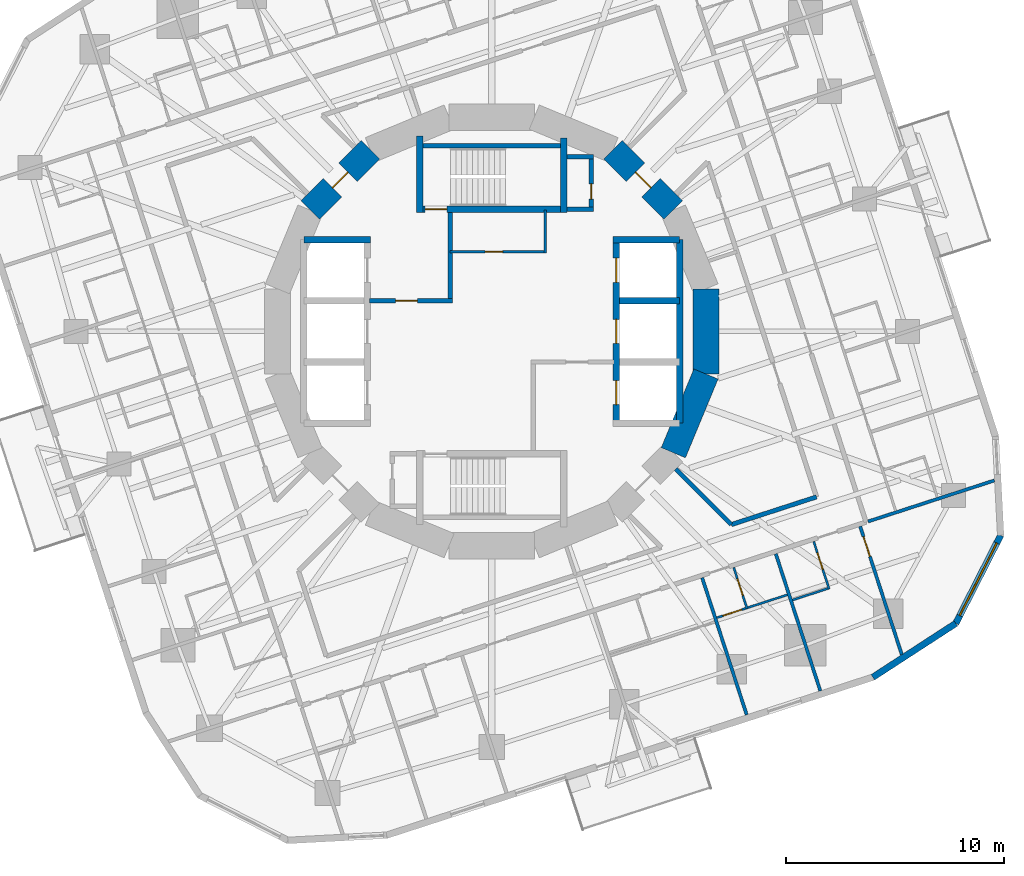
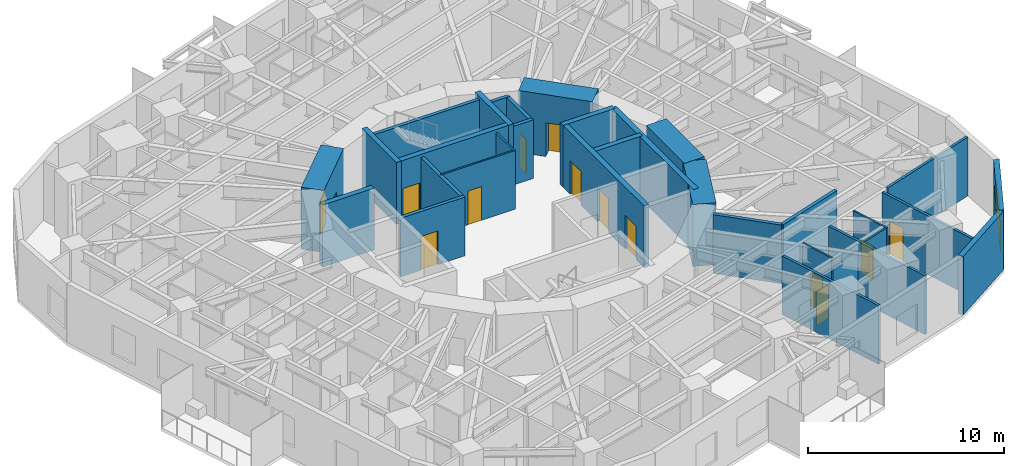
# One storey, part 7 of 13: 33 walls, 13 doors, 1 window, 14 openings.
"""IFC4 building model written with IfcOpenShell, lengths in metres."""

from ifc_helpers import new_model, si_unit, direction, frame, frame_2d, origin, place, context, subcontext, project, spatial, rectangle, extrude, material, layer, layer_set, type_object, element, fill, save


model = new_model("IFC4")

# Units and contexts
model_context = context("Model", 3, precision=1e-05, world=origin(), true_north=direction((0.0, 1.0)))
body_context = subcontext(model_context, "Body", "Model", "MODEL_VIEW")
ifc_project = project(units=[si_unit("LENGTHUNIT", "METRE"), si_unit("AREAUNIT", "SQUARE_METRE"), si_unit("VOLUMEUNIT", "CUBIC_METRE"), si_unit("PLANEANGLEUNIT", "RADIAN"), si_unit("MASSUNIT", "GRAM", prefix="KILO")], contexts=[model_context])

# Site, building, storey
site_placement = place(None, origin())
site = spatial("IfcSite", under=ifc_project, at=site_placement, CompositionType="ELEMENT")
building_placement = place(site_placement, origin())
building = spatial("IfcBuilding", under=site, at=building_placement, Name="Nakasero Lantern House", CompositionType="ELEMENT")
storey_placement = place(building_placement, frame((0.0, 0.0, 164.89990234375)))
storey = spatial("IfcBuildingStorey", under=building, at=storey_placement, Name="L40", CompositionType="ELEMENT", Elevation=164.89990234375)

# Wall, openings, doors
ifc_material_1 = material(Name="Concrete C50/60", Category="concrete")
ifc_layer_1 = layer(ifc_material_1, 0.300048828125)
ifc_layer_set_1 = layer_set([ifc_layer_1], Name="Core inner wall 300")
wall_type_1 = type_object("IfcWallType", Name="Core inner wall 300", PredefinedType="SHEAR", material=ifc_layer_set_1)
wall_1_placement = place(storey_placement, frame((5.699951171875, -4.199951171875, 0.0), z_axis=(0.0, 0.0, 1.0), x_axis=(0.0, 1.0, 0.0)))
wall_1 = element("IfcWall", 1, at=wall_1_placement, inside=storey, type_object=wall_type_1, Name="Core inner wall L40 LE", PredefinedType="SHEAR", context=body_context, shape_type="SweptSolid", body=[
    extrude(rectangle(XDim=8.39990234375, YDim=0.300048828125, at=frame_2d((4.199951171875, 0.0))), origin(), (0.0, 0.0, 1.0), 3.85009765625),
])
opening_1_placement = place(wall_1_placement, frame((0.85009765625, 0.0, 0.0)))
opening_1 = element("IfcOpeningElement", 2, at=opening_1_placement, cuts=wall_1, Name="Opening LD", PredefinedType="OPENING", context=body_context, shape_type="SweptSolid", body=[
    extrude(rectangle(XDim=1.10009765625, YDim=2.10009765625, at=frame_2d((0.550048828125, 1.050048828125))), frame((0.0, 0.169921875, 0.0), z_axis=(0.0, -1.0, 0.0), x_axis=(1.0, 0.0, 0.0)), (0.0, 0.0, 1.0), 0.340087890625),
])
opening_2_placement = place(wall_1_placement, frame((3.64990234375, 0.0, 0.0)))
opening_2 = element("IfcOpeningElement", 3, at=opening_2_placement, cuts=wall_1, Name="Opening LD", PredefinedType="OPENING", context=body_context, shape_type="SweptSolid", body=[
    extrude(rectangle(XDim=1.10009765625, YDim=2.10009765625, at=frame_2d((0.550048828125, 1.050048828125))), frame((0.0, 0.169921875, 0.0), z_axis=(0.0, -1.0, 0.0), x_axis=(1.0, 0.0, 0.0)), (0.0, 0.0, 1.0), 0.340087890625),
])
opening_3_placement = place(wall_1_placement, frame((6.449951171875, 0.0, 0.0)))
opening_3 = element("IfcOpeningElement", 4, at=opening_3_placement, cuts=wall_1, Name="Opening LD", PredefinedType="OPENING", context=body_context, shape_type="SweptSolid", body=[
    extrude(rectangle(XDim=1.10009765625, YDim=2.10009765625, at=frame_2d((0.550048828125, 1.050048828125))), frame((0.0, 0.169921875, 0.0), z_axis=(0.0, -1.0, 0.0), x_axis=(1.0, 0.0, 0.0)), (0.0, 0.0, 1.0), 0.340087890625),
])
ifc_material_2 = material(Name="Steel S355", Category="steel")
door_type_1 = type_object("IfcDoorType", Name="Lift landing door E120 1100", OperationType="SLIDING_TO_LEFT", PredefinedType="DOOR", material=ifc_material_2)
door_1_placement = place(opening_1_placement, origin())
door_1 = element("IfcDoor", 5, at=door_1_placement, inside=storey, type_object=door_type_1, Name="Lift landing door LE1", OperationType="SLIDING_TO_LEFT", OverallHeight=2.10009765625, OverallWidth=1.10009765625, PredefinedType="DOOR", context=body_context, shape_type="SweptSolid", body=[
    extrude(rectangle(XDim=1.10009765625, YDim=2.10009765625, at=frame_2d((0.550048828125, 1.050048828125))), frame((0.0, 0.02490234375, 0.0), z_axis=(0.0, -1.0, 0.0), x_axis=(1.0, 0.0, 0.0)), (0.0, 0.0, 1.0), 0.050048828125),
])
fill(opening_1, door_1)
door_2_placement = place(opening_2_placement, origin())
door_2 = element("IfcDoor", 6, at=door_2_placement, inside=storey, type_object=door_type_1, Name="Lift landing door LE2", OperationType="SLIDING_TO_LEFT", OverallHeight=2.10009765625, OverallWidth=1.10009765625, PredefinedType="DOOR", context=body_context, shape_type="SweptSolid", body=[
    extrude(rectangle(XDim=1.10009765625, YDim=2.10009765625, at=frame_2d((0.550048828125, 1.050048828125))), frame((0.0, 0.02490234375, 0.0), z_axis=(0.0, -1.0, 0.0), x_axis=(1.0, 0.0, 0.0)), (0.0, 0.0, 1.0), 0.050048828125),
])
fill(opening_2, door_2)
door_3_placement = place(opening_3_placement, origin())
door_3 = element("IfcDoor", 7, at=door_3_placement, inside=storey, type_object=door_type_1, Name="Lift landing door LE3", OperationType="SLIDING_TO_LEFT", OverallHeight=2.10009765625, OverallWidth=1.10009765625, PredefinedType="DOOR", context=body_context, shape_type="SweptSolid", body=[
    extrude(rectangle(XDim=1.10009765625, YDim=2.10009765625, at=frame_2d((0.550048828125, 1.050048828125))), frame((0.0, 0.02490234375, 0.0), z_axis=(0.0, -1.0, 0.0), x_axis=(1.0, 0.0, 0.0)), (0.0, 0.0, 1.0), 0.050048828125),
])
fill(opening_3, door_3)

# Walls
for number, where, z_axis, x_axis, name in (
    (8, (-8.60009765625, 4.199951171875, 0.0), (0.0, 0.0, 1.0), (1.0, 0.0, 0.0), "Core inner wall L40 LWN"),
    (9, (5.550048828125, 4.199951171875, 0.0), (0.0, 0.0, 1.0), (1.0, 0.0, 0.0), "Core inner wall L40 LEN"),
):
    element("IfcWall", number, at=place(storey_placement, frame(where, z_axis=z_axis, x_axis=x_axis)), inside=storey, type_object=wall_type_1, Name=name, PredefinedType="SHEAR", context=body_context, shape_type="SweptSolid", body=[
        extrude(rectangle(XDim=3.050048828125, YDim=0.300048828125, at=frame_2d((1.52490234375, 0.0))), origin(), (0.0, 0.0, 1.0), 3.85009765625),
    ])
wall_2_placement = place(storey_placement, frame((8.60009765625, -4.199951171875, 0.0), z_axis=(0.0, 0.0, 1.0), x_axis=(0.0, 1.0, 0.0)))
element("IfcWall", 10, at=wall_2_placement, inside=storey, type_object=wall_type_1, Name="Core inner wall L40 LEB", PredefinedType="SHEAR", context=body_context, shape_type="SweptSolid", body=[
    extrude(rectangle(XDim=8.39990234375, YDim=0.300048828125, at=frame_2d((4.199951171875, 0.0))), origin(), (0.0, 0.0, 1.0), 3.85009765625),
])
wall_3_placement = place(storey_placement, frame((5.85009765625, 1.39990234375, 0.0), z_axis=(0.0, 0.0, 1.0), x_axis=(1.0, 0.0, 0.0)))
element("IfcWall", 11, at=wall_3_placement, inside=storey, type_object=wall_type_1, Name="Core inner wall L40 LE2", PredefinedType="SHEAR", context=body_context, shape_type="SweptSolid", body=[
    extrude(rectangle(XDim=2.75, YDim=0.300048828125, at=frame_2d((1.375, 0.0))), origin(), (0.0, 0.0, 1.0), 3.85009765625),
])

# Wall, opening, door
wall_4_placement = place(storey_placement, frame((-3.449951171875, 5.60009765625, 0.0), z_axis=(0.0, 0.0, 1.0), x_axis=(1.0, 0.0, 0.0)))
wall_4 = element("IfcWall", 12, at=wall_4_placement, inside=storey, type_object=wall_type_1, Name="Core inner wall L40 SN", PredefinedType="SHEAR", context=body_context, shape_type="SweptSolid", body=[
    extrude(rectangle(XDim=6.89990234375, YDim=0.300048828125, at=frame_2d((3.449951171875, 0.0))), origin(), (0.0, 0.0, 1.0), 3.85009765625),
])
opening_4_placement = place(wall_4_placement, frame((0.39990234375, 0.0, 0.0)))
opening_4 = element("IfcOpeningElement", 13, at=opening_4_placement, cuts=wall_4, Name="Opening D05", PredefinedType="OPENING", context=body_context, shape_type="SweptSolid", body=[
    extrude(rectangle(XDim=1.0, YDim=2.10009765625, at=frame_2d((0.5, 1.050048828125))), frame((0.0, 0.169921875, 0.0), z_axis=(0.0, -1.0, 0.0), x_axis=(1.0, 0.0, 0.0)), (0.0, 0.0, 1.0), 0.340087890625),
])
ifc_material_3 = material(Name="Timber C24", Category="wood")
door_type_2 = type_object("IfcDoorType", Name="Core door FD60S 1000", OperationType="SINGLE_SWING_LEFT", PredefinedType="DOOR", material=ifc_material_3)
door_4_placement = place(opening_4_placement, origin())
door_4 = element("IfcDoor", 14, at=door_4_placement, inside=storey, type_object=door_type_2, Name="Door L40 D-ST1", OperationType="SINGLE_SWING_LEFT", OverallHeight=2.10009765625, OverallWidth=1.0, PredefinedType="DOOR", context=body_context, shape_type="SweptSolid", body=[
    extrude(rectangle(XDim=1.0, YDim=2.10009765625, at=frame_2d((0.5, 1.050048828125))), frame((0.0, 0.02490234375, 0.0), z_axis=(0.0, -1.0, 0.0), x_axis=(1.0, 0.0, 0.0)), (0.0, 0.0, 1.0), 0.050048828125),
])
fill(opening_4, door_4)

# Walls
wall_5_placement = place(storey_placement, frame((-3.300048828125, 5.449951171875, 0.0), z_axis=(0.0, 0.0, 1.0), x_axis=(0.0, 1.0, 0.0)))
element("IfcWall", 15, at=wall_5_placement, inside=storey, type_object=wall_type_1, Name="Core inner wall L40 SNW", PredefinedType="SHEAR", context=body_context, shape_type="SweptSolid", body=[
    extrude(rectangle(XDim=3.5, YDim=0.300048828125, at=frame_2d((1.75, 0.0))), origin(), (0.0, 0.0, 1.0), 3.85009765625),
])
wall_6_placement = place(storey_placement, frame((3.300048828125, 5.449951171875, 0.0), z_axis=(0.0, 0.0, 1.0), x_axis=(0.0, 1.0, 0.0)))
element("IfcWall", 16, at=wall_6_placement, inside=storey, type_object=wall_type_1, Name="Core inner wall L40 SNE", PredefinedType="SHEAR", context=body_context, shape_type="SweptSolid", body=[
    extrude(rectangle(XDim=3.400146484375, YDim=0.300048828125, at=frame_2d((1.7001953125, 0.0))), origin(), (0.0, 0.0, 1.0), 3.85009765625),
])

# Wall, opening, door
ifc_material_4 = material(Name="Blockwork", Category="masonry")
ifc_layer_2 = layer(ifc_material_4, 0.10009765625)
ifc_layer_set_2 = layer_set([ifc_layer_2], Name="Core room wall 100")
wall_type_2 = type_object("IfcWallType", Name="Core room wall 100", PredefinedType="PARTITIONING", material=ifc_layer_set_2)
wall_7_placement = place(storey_placement, frame((-1.89990234375, 3.64990234375, 0.0), z_axis=(0.0, 0.0, 1.0), x_axis=(1.0, 0.0, 0.0)))
wall_7 = element("IfcWall", 17, at=wall_7_placement, inside=storey, type_object=wall_type_2, Name="Core room wall L40 CR-NES", PredefinedType="PARTITIONING", context=body_context, shape_type="SweptSolid", body=[
    extrude(rectangle(XDim=4.39990234375, YDim=0.10009765625, at=frame_2d((2.199951171875, 0.0))), origin(), (0.0, 0.0, 1.0), 3.650146484375),
])
opening_5_placement = place(wall_7_placement, frame((1.60009765625, 0.0, 0.0)))
opening_5 = element("IfcOpeningElement", 18, at=opening_5_placement, cuts=wall_7, Name="Opening D15", PredefinedType="OPENING", context=body_context, shape_type="SweptSolid", body=[
    extrude(rectangle(XDim=0.800048828125, YDim=2.10009765625, at=frame_2d((0.39990234375, 1.050048828125))), frame((0.0, 0.070068359375, 0.0), z_axis=(0.0, -1.0, 0.0), x_axis=(1.0, 0.0, 0.0)), (0.0, 0.0, 1.0), 0.14013671875),
])
ifc_material_5 = material(Name="Timber C24", Category="wood")
door_type_3 = type_object("IfcDoorType", Name="Cleaner's store door FD30S 800", OperationType="SINGLE_SWING_LEFT", PredefinedType="DOOR", material=ifc_material_5)
door_5_placement = place(opening_5_placement, origin())
door_5 = element("IfcDoor", 19, at=door_5_placement, inside=storey, type_object=door_type_3, Name="Door L40 D-CR-NE", OperationType="SINGLE_SWING_LEFT", OverallHeight=2.10009765625, OverallWidth=0.800048828125, PredefinedType="DOOR", context=body_context, shape_type="SweptSolid", body=[
    extrude(rectangle(XDim=0.800048828125, YDim=2.10009765625, at=frame_2d((0.39990234375, 1.050048828125))), frame((0.0, 0.02490234375, 0.0), z_axis=(0.0, -1.0, 0.0), x_axis=(1.0, 0.0, 0.0)), (0.0, 0.0, 1.0), 0.050048828125),
])
fill(opening_5, door_5)

# Wall
wall_8_placement = place(storey_placement, frame((2.449951171875, 3.60009765625, 0.0), z_axis=(0.0, 0.0, 1.0), x_axis=(0.0, 1.0, 0.0)))
element("IfcWall", 20, at=wall_8_placement, inside=storey, type_object=wall_type_2, Name="Core room wall L40 CR-NEE", PredefinedType="PARTITIONING", context=body_context, shape_type="SweptSolid", body=[
    extrude(rectangle(XDim=1.949951171875, YDim=0.10009765625, at=frame_2d((0.97509765625, 0.0))), origin(), (0.0, 0.0, 1.0), 3.650146484375),
])

# Wall, opening, door
ifc_material_6 = material(Name="Concrete C50/60", Category="concrete")
ifc_layer_3 = layer(ifc_material_6, 1.199951171875)
ifc_layer_set_3 = layer_set([ifc_layer_3], Name="Core wall 1200")
wall_type_3 = type_object("IfcWallType", Name="Core wall 1200", PredefinedType="SHEAR", material=ifc_layer_set_3)
wall_9_placement = place(storey_placement, frame((8.314697265625, 5.5556640625, 0.0), z_axis=(0.0, 0.0, 1.0), x_axis=(-0.707106781187, 0.707106781187, 0.0)))
wall_9 = element("IfcWall", 21, at=wall_9_placement, inside=storey, type_object=wall_type_3, Name="Core wall L40 facet 2", PredefinedType="SHEAR", context=body_context, shape_type="SweptSolid", body=[
    extrude(rectangle(XDim=3.90185546875, YDim=1.199951171875, at=frame_2d((1.950927734375, 0.0))), origin(), (0.0, 0.0, 1.0), 3.85009765625),
])
opening_6_placement = place(wall_9_placement, frame((1.450927734375, 0.0, 0.0)))
opening_6 = element("IfcOpeningElement", 22, at=opening_6_placement, cuts=wall_9, Name="Opening D05", PredefinedType="OPENING", context=body_context, shape_type="SweptSolid", body=[
    extrude(rectangle(XDim=1.0, YDim=2.10009765625, at=frame_2d((0.5, 1.050048828125))), frame((0.0, 0.619873046875, 0.0), z_axis=(0.0, -1.0, 0.0), x_axis=(1.0, 0.0, 0.0)), (0.0, 0.0, 1.0), 1.239990234375),
])
door_6_placement = place(opening_6_placement, origin())
door_6 = element("IfcDoor", 23, at=door_6_placement, inside=storey, type_object=door_type_2, Name="Door L40 D-CORE02", OperationType="SINGLE_SWING_LEFT", OverallHeight=2.10009765625, OverallWidth=1.0, PredefinedType="DOOR", context=body_context, shape_type="SweptSolid", body=[
    extrude(rectangle(XDim=1.0, YDim=2.10009765625, at=frame_2d((0.5, 1.050048828125))), frame((0.0, 0.02490234375, 0.0), z_axis=(0.0, -1.0, 0.0), x_axis=(1.0, 0.0, 0.0)), (0.0, 0.0, 1.0), 0.050048828125),
])
fill(opening_6, door_6)

wall_10_placement = place(storey_placement, frame((-5.5556640625, 8.314697265625, 0.0), z_axis=(0.0, 0.0, 1.0), x_axis=(-0.707106781187, -0.707106781187, 0.0)))
wall_10 = element("IfcWall", 24, at=wall_10_placement, inside=storey, type_object=wall_type_3, Name="Core wall L40 facet 6", PredefinedType="SHEAR", context=body_context, shape_type="SweptSolid", body=[
    extrude(rectangle(XDim=3.90185546875, YDim=1.199951171875, at=frame_2d((1.950927734375, 0.0))), origin(), (0.0, 0.0, 1.0), 3.85009765625),
])
opening_7_placement = place(wall_10_placement, frame((1.450927734375, 0.0, 0.0)))
opening_7 = element("IfcOpeningElement", 25, at=opening_7_placement, cuts=wall_10, Name="Opening D05", PredefinedType="OPENING", context=body_context, shape_type="SweptSolid", body=[
    extrude(rectangle(XDim=1.0, YDim=2.10009765625, at=frame_2d((0.5, 1.050048828125))), frame((0.0, 0.619873046875, 0.0), z_axis=(0.0, -1.0, 0.0), x_axis=(1.0, 0.0, 0.0)), (0.0, 0.0, 1.0), 1.239990234375),
])
door_7_placement = place(opening_7_placement, origin())
door_7 = element("IfcDoor", 26, at=door_7_placement, inside=storey, type_object=door_type_2, Name="Door L40 D-CORE06", OperationType="SINGLE_SWING_LEFT", OverallHeight=2.10009765625, OverallWidth=1.0, PredefinedType="DOOR", context=body_context, shape_type="SweptSolid", body=[
    extrude(rectangle(XDim=1.0, YDim=2.10009765625, at=frame_2d((0.5, 1.050048828125))), frame((0.0, 0.02490234375, 0.0), z_axis=(0.0, -1.0, 0.0), x_axis=(1.0, 0.0, 0.0)), (0.0, 0.0, 1.0), 0.050048828125),
])
fill(opening_7, door_7)

# Walls
for number, where, z_axis, x_axis, name in (
    (27, (8.314697265625, -5.5556640625, 0.0), (0.0, 0.0, 1.0), (0.382690736062, 0.923876507187, 0.0), "Core wall L40 facet 15"),
    (28, (9.807861328125, -1.950927734375, 0.0), (0.0, 0.0, 1.0), (0.0, 1.0, 0.0), "Core wall L40 facet 16"),
):
    element("IfcWall", number, at=place(storey_placement, frame(where, z_axis=z_axis, x_axis=x_axis)), inside=storey, type_object=wall_type_3, Name=name, PredefinedType="SHEAR", context=body_context, shape_type="SweptSolid", body=[
        extrude(rectangle(XDim=3.90185546875, YDim=1.199951171875, at=frame_2d((1.950927734375, 0.0))), origin(), (0.0, 0.0, 1.0), 3.85009765625),
    ])
ifc_material_7 = material(Name="Blockwork", Category="masonry")
ifc_layer_4 = layer(ifc_material_7, 0.199951171875)
ifc_layer_set_4 = layer_set([ifc_layer_4], Name="Corridor wall 200")
wall_type_4 = type_object("IfcWallType", Name="Corridor wall 200", PredefinedType="PARTITIONING", material=ifc_layer_set_4)
wall_11_placement = place(storey_placement, frame((10.965576171875, -8.84423828125, 0.0), z_axis=(0.0, 0.0, 1.0), x_axis=(0.951070782935, 0.308973082722, 0.0)))
element("IfcWall", 29, at=wall_11_placement, inside=storey, type_object=wall_type_4, Name="Corridor wall L40 IW3-1", PredefinedType="PARTITIONING", context=body_context, shape_type="SweptSolid", body=[
    extrude(rectangle(XDim=4.104248046875, YDim=0.199951171875, at=frame_2d((2.05224609375, 0.0))), origin(), (0.0, 0.0, 1.0), 3.650146484375),
])
wall_12_placement = place(storey_placement, frame((8.420166015625, -6.298828125, 0.0), z_axis=(0.0, 0.0, 1.0), x_axis=(0.707106781187, -0.707106781187, 0.0)))
element("IfcWall", 30, at=wall_12_placement, inside=storey, type_object=wall_type_4, Name="Corridor wall L40 PS14a", PredefinedType="PARTITIONING", context=body_context, shape_type="SweptSolid", body=[
    extrude(rectangle(XDim=3.599853515625, YDim=0.199951171875, at=frame_2d((1.7998046875, 0.0))), origin(), (0.0, 0.0, 1.0), 3.650146484375),
])

# Wall, opening, door
ifc_material_8 = material(Name="Blockwork", Category="masonry")
ifc_layer_5 = layer(ifc_material_8, 0.10009765625)
ifc_layer_set_5 = layer_set([ifc_layer_5], Name="En-suite wall 100")
wall_type_5 = type_object("IfcWallType", Name="En-suite wall 100", PredefinedType="PARTITIONING", material=ifc_layer_set_5)
wall_13_placement = place(storey_placement, frame((11.07861328125, -10.805419921875, 0.0), z_axis=(0.0, 0.0, 1.0), x_axis=(0.309077791808, -0.951036759863, 0.0)))
wall_13 = element("IfcWall", 31, at=wall_13_placement, inside=storey, type_object=wall_type_5, Name="En-suite wall L40 ES3-05", PredefinedType="PARTITIONING", context=body_context, shape_type="SweptSolid", body=[
    extrude(rectangle(XDim=2.0, YDim=0.10009765625, at=frame_2d((1.0, 0.0))), origin(), (0.0, 0.0, 1.0), 3.650146484375),
])
opening_8_placement = place(wall_13_placement, frame((0.550048828125, 0.0, 0.0)))
opening_8 = element("IfcOpeningElement", 32, at=opening_8_placement, cuts=wall_13, Name="Opening D02", PredefinedType="OPENING", context=body_context, shape_type="SweptSolid", body=[
    extrude(rectangle(XDim=0.800048828125, YDim=2.10009765625, at=frame_2d((0.39990234375, 1.050048828125))), frame((0.0, 0.070068359375, 0.0), z_axis=(0.0, -1.0, 0.0), x_axis=(1.0, 0.0, 0.0)), (0.0, 0.0, 1.0), 0.14013671875),
])
ifc_material_9 = material(Name="Timber C24", Category="wood")
door_type_4 = type_object("IfcDoorType", Name="En-suite door 800", OperationType="SINGLE_SWING_RIGHT", PredefinedType="DOOR", material=ifc_material_9)
door_8_placement = place(opening_8_placement, origin())
door_8 = element("IfcDoor", 33, at=door_8_placement, inside=storey, type_object=door_type_4, Name="Door L40 DE3-05", OperationType="SINGLE_SWING_LEFT", OverallHeight=2.10009765625, OverallWidth=0.800048828125, PredefinedType="DOOR", context=body_context, shape_type="SweptSolid", body=[
    extrude(rectangle(XDim=0.800048828125, YDim=2.10009765625, at=frame_2d((0.39990234375, 1.050048828125))), frame((0.0, 0.02490234375, 0.0), z_axis=(0.0, -1.0, 0.0), x_axis=(1.0, 0.0, 0.0)), (0.0, 0.0, 1.0), 0.050048828125),
])
fill(opening_8, door_8)

# Wall
wall_14_placement = place(storey_placement, frame((11.728759765625, -12.64453125, 0.0), z_axis=(0.0, 0.0, 1.0), x_axis=(0.951058615481, 0.309010533671, 0.0)))
element("IfcWall", 34, at=wall_14_placement, inside=storey, type_object=wall_type_5, Name="En-suite wall L40 EE3-05", PredefinedType="PARTITIONING", context=body_context, shape_type="SweptSolid", body=[
    extrude(rectangle(XDim=1.900146484375, YDim=0.10009765625, at=frame_2d((0.9501953125, 0.0))), origin(), (0.0, 0.0, 1.0), 3.037841796875),
])

# Wall, opening, door
wall_15_placement = place(storey_placement, frame((14.740234375, -9.61572265625, 0.0), z_axis=(0.0, 0.0, 1.0), x_axis=(0.309021261611, -0.951055129775, 0.0)))
wall_15 = element("IfcWall", 35, at=wall_15_placement, inside=storey, type_object=wall_type_5, Name="En-suite wall L40 ES3-06", PredefinedType="PARTITIONING", context=body_context, shape_type="SweptSolid", body=[
    extrude(rectangle(XDim=2.2998046875, YDim=0.10009765625, at=frame_2d((1.14990234375, 0.0))), origin(), (0.0, 0.0, 1.0), 3.650146484375),
])
opening_9_placement = place(wall_15_placement, frame((0.550048828125, 0.0, 0.0)))
opening_9 = element("IfcOpeningElement", 36, at=opening_9_placement, cuts=wall_15, Name="Opening D02", PredefinedType="OPENING", context=body_context, shape_type="SweptSolid", body=[
    extrude(rectangle(XDim=0.800048828125, YDim=2.10009765625, at=frame_2d((0.39990234375, 1.050048828125))), frame((0.0, 0.070068359375, 0.0), z_axis=(0.0, -1.0, 0.0), x_axis=(1.0, 0.0, 0.0)), (0.0, 0.0, 1.0), 0.14013671875),
])
door_9_placement = place(opening_9_placement, origin())
door_9 = element("IfcDoor", 37, at=door_9_placement, inside=storey, type_object=door_type_4, Name="Door L40 DE3-06", OperationType="SINGLE_SWING_LEFT", OverallHeight=2.10009765625, OverallWidth=0.800048828125, PredefinedType="DOOR", context=body_context, shape_type="SweptSolid", body=[
    extrude(rectangle(XDim=0.800048828125, YDim=2.10009765625, at=frame_2d((0.39990234375, 1.050048828125))), frame((0.0, 0.02490234375, 0.0), z_axis=(0.0, -1.0, 0.0), x_axis=(1.0, 0.0, 0.0)), (0.0, 0.0, 1.0), 0.050048828125),
])
fill(opening_9, door_9)

# Wall
wall_16_placement = place(storey_placement, frame((13.771240234375, -12.29638671875, 0.0), z_axis=(0.0, 0.0, 1.0), x_axis=(0.951040401051, 0.309066587596, 0.0)))
element("IfcWall", 38, at=wall_16_placement, inside=storey, type_object=wall_type_5, Name="En-suite wall L40 EE3-06", PredefinedType="PARTITIONING", context=body_context, shape_type="SweptSolid", body=[
    extrude(rectangle(XDim=1.699951171875, YDim=0.10009765625, at=frame_2d((0.85009765625, 0.0))), origin(), (0.0, 0.0, 1.0), 3.650146484375),
])

# Wall, opening, door
wall_17_placement = place(storey_placement, frame((10.3076171875, -13.106201171875, 0.0), z_axis=(0.0, 0.0, 1.0), x_axis=(0.95105465306, 0.309022728765, 0.0)))
wall_17 = element("IfcWall", 39, at=wall_17_placement, inside=storey, type_object=wall_type_5, Name="En-suite wall L40 EL3-05", PredefinedType="PARTITIONING", context=body_context, shape_type="SweptSolid", body=[
    extrude(rectangle(XDim=1.39453125, YDim=0.10009765625, at=frame_2d((0.697265625, 0.0))), origin(), (0.0, 0.0, 1.0), 3.037841796875),
])
opening_10_placement = place(wall_17_placement, frame((0.294189453125, 0.0, 0.0)))
opening_10 = element("IfcOpeningElement", 40, at=opening_10_placement, cuts=wall_17, Name="Opening D17", PredefinedType="OPENING", context=body_context, shape_type="SweptSolid", body=[
    extrude(rectangle(XDim=0.89990234375, YDim=2.10009765625, at=frame_2d((0.449951171875, 1.050048828125))), frame((0.0, 0.070068359375, 0.0), z_axis=(0.0, -1.0, 0.0), x_axis=(1.0, 0.0, 0.0)), (0.0, 0.0, 1.0), 0.14013671875),
])
ifc_material_10 = material(Name="Timber C24", Category="wood")
door_type_5 = type_object("IfcDoorType", Name="Bedroom door FD30S 900", OperationType="SINGLE_SWING_LEFT", PredefinedType="DOOR", material=ifc_material_10)
door_10_placement = place(opening_10_placement, origin())
door_10 = element("IfcDoor", 41, at=door_10_placement, inside=storey, type_object=door_type_5, Name="Door L40 DL3-05", OperationType="SINGLE_SWING_RIGHT", OverallHeight=2.10009765625, OverallWidth=0.89990234375, PredefinedType="DOOR", context=body_context, shape_type="SweptSolid", body=[
    extrude(rectangle(XDim=0.89990234375, YDim=2.10009765625, at=frame_2d((0.449951171875, 1.050048828125))), frame((0.0, 0.02490234375, 0.0), z_axis=(0.0, -1.0, 0.0), x_axis=(1.0, 0.0, 0.0)), (0.0, 0.0, 1.0), 0.050048828125),
])
fill(opening_10, door_10)

# Wall
ifc_material_11 = material(Name="Aluminium rainscreen on blockwork", Category="masonry")
ifc_layer_6 = layer(ifc_material_11, 0.300048828125)
ifc_layer_set_6 = layer_set([ifc_layer_6], Name="Facade wall 300")
wall_type_6 = type_object("IfcWallType", Name="Facade wall 300", PredefinedType="SOLIDWALL", material=ifc_layer_set_6)
wall_18_placement = place(storey_placement, frame((17.44677734375, -15.83349609375, 0.0), z_axis=(0.0, 0.0, 1.0), x_axis=(0.838673836229, 0.544634002266, 0.0)))
element("IfcWall", 42, at=wall_18_placement, inside=storey, type_object=wall_type_6, Name="Facade wall L40 FW3C1", PredefinedType="SOLIDWALL", context=body_context, shape_type="SweptSolid", body=[
    extrude(rectangle(XDim=4.529296875, YDim=0.300048828125, at=frame_2d((2.2646484375, 0.0))), origin(), (0.0, 0.0, 1.0), 3.650146484375),
])

# Wall, opening, window
wall_19_placement = place(storey_placement, frame((21.245361328125, -13.36669921875, 0.0), z_axis=(0.0, 0.0, 1.0), x_axis=(0.454013792196, 0.890994655705, 0.0)))
wall_19 = element("IfcWall", 43, at=wall_19_placement, inside=storey, type_object=wall_type_6, Name="Facade wall L40 FW3C2", PredefinedType="SOLIDWALL", context=body_context, shape_type="SweptSolid", body=[
    extrude(rectangle(XDim=4.529296875, YDim=0.300048828125, at=frame_2d((2.2646484375, 0.0))), origin(), (0.0, 0.0, 1.0), 3.650146484375),
])
opening_11_placement = place(wall_19_placement, frame((0.39990234375, 0.0, 0.75)))
opening_11 = element("IfcOpeningElement", 44, at=opening_11_placement, cuts=wall_19, Name="Opening W237A", PredefinedType="OPENING", context=body_context, shape_type="SweptSolid", body=[
    extrude(rectangle(XDim=3.72900390625, YDim=1.800048828125, at=frame_2d((1.864501953125, 0.89990234375))), frame((0.0, 0.169921875, 0.0), z_axis=(0.0, -1.0, 0.0), x_axis=(1.0, 0.0, 0.0)), (0.0, 0.0, 1.0), 0.340087890625),
])
ifc_material_12 = material(Name="Aluminium 6063-T6 and glass", Category="aluminium")
window_type = type_object("IfcWindowType", Name="Corner window 3729x1800", PartitioningType="SINGLE_PANEL", PredefinedType="WINDOW", material=ifc_material_12)
window_placement = place(opening_11_placement, origin())
window = element("IfcWindow", 45, at=window_placement, inside=storey, type_object=window_type, Name="Window L40 WC3", OverallHeight=1.800048828125, OverallWidth=3.72900390625, PartitioningType="SINGLE_PANEL", PredefinedType="WINDOW", context=body_context, shape_type="SweptSolid", body=[
    extrude(rectangle(XDim=3.72900390625, YDim=1.800048828125, at=frame_2d((1.864501953125, 0.89990234375))), frame((0.0, 0.030029296875, 0.0), z_axis=(0.0, -1.0, 0.0), x_axis=(1.0, 0.0, 0.0)), (0.0, 0.0, 1.0), 0.06005859375),
])
fill(opening_11, window)

# Wall, opening, door
ifc_material_13 = material(Name="Blockwork", Category="masonry")
ifc_layer_7 = layer(ifc_material_13, 0.199951171875)
ifc_layer_set_7 = layer_set([ifc_layer_7], Name="Fire lobby wall 200")
wall_type_7 = type_object("IfcWallType", Name="Fire lobby wall 200", PredefinedType="PARTITIONING", material=ifc_layer_set_7)
wall_20_placement = place(storey_placement, frame((-5.60009765625, 1.39990234375, 0.0), z_axis=(0.0, 0.0, 1.0), x_axis=(1.0, 0.0, 0.0)))
wall_20 = element("IfcWall", 46, at=wall_20_placement, inside=storey, type_object=wall_type_7, Name="Fire lobby wall L40 W-FL1S", PredefinedType="PARTITIONING", context=body_context, shape_type="SweptSolid", body=[
    extrude(rectangle(XDim=3.800048828125, YDim=0.199951171875, at=frame_2d((1.89990234375, 0.0))), origin(), (0.0, 0.0, 1.0), 3.650146484375),
])
opening_12_placement = place(wall_20_placement, frame((1.199951171875, 0.0, 0.0)))
opening_12 = element("IfcOpeningElement", 47, at=opening_12_placement, cuts=wall_20, Name="Opening D05", PredefinedType="OPENING", context=body_context, shape_type="SweptSolid", body=[
    extrude(rectangle(XDim=1.0, YDim=2.10009765625, at=frame_2d((0.5, 1.050048828125))), frame((0.0, 0.119873046875, 0.0), z_axis=(0.0, -1.0, 0.0), x_axis=(1.0, 0.0, 0.0)), (0.0, 0.0, 1.0), 0.239990234375),
])
door_11_placement = place(opening_12_placement, origin())
door_11 = element("IfcDoor", 48, at=door_11_placement, inside=storey, type_object=door_type_2, Name="Door L40 D-FL1", OperationType="SINGLE_SWING_LEFT", OverallHeight=2.10009765625, OverallWidth=1.0, PredefinedType="DOOR", context=body_context, shape_type="SweptSolid", body=[
    extrude(rectangle(XDim=1.0, YDim=2.10009765625, at=frame_2d((0.5, 1.050048828125))), frame((0.0, 0.02490234375, 0.0), z_axis=(0.0, -1.0, 0.0), x_axis=(1.0, 0.0, 0.0)), (0.0, 0.0, 1.0), 0.050048828125),
])
fill(opening_12, door_11)

# Wall
wall_21_placement = place(storey_placement, frame((-1.89990234375, 1.5, 0.0), z_axis=(0.0, 0.0, 1.0), x_axis=(0.0, 1.0, 0.0)))
element("IfcWall", 49, at=wall_21_placement, inside=storey, type_object=wall_type_7, Name="Fire lobby wall L40 W-FL1E", PredefinedType="PARTITIONING", context=body_context, shape_type="SweptSolid", body=[
    extrude(rectangle(XDim=3.949951171875, YDim=0.199951171875, at=frame_2d((1.97509765625, 0.0))), origin(), (0.0, 0.0, 1.0), 3.650146484375),
])

# Wall, opening, door
wall_22_placement = place(storey_placement, frame((4.550048828125, 5.60009765625, 0.0), z_axis=(0.0, 0.0, 1.0), x_axis=(0.0, 1.0, 0.0)))
wall_22 = element("IfcWall", 50, at=wall_22_placement, inside=storey, type_object=wall_type_7, Name="Fire lobby wall L40 W-RS1E", PredefinedType="PARTITIONING", context=body_context, shape_type="SweptSolid", body=[
    extrude(rectangle(XDim=2.39990234375, YDim=0.199951171875, at=frame_2d((1.199951171875, 0.0))), origin(), (0.0, 0.0, 1.0), 3.650146484375),
])
opening_13_placement = place(wall_22_placement, frame((0.449951171875, 0.0, 0.0)))
opening_13 = element("IfcOpeningElement", 51, at=opening_13_placement, cuts=wall_22, Name="Opening D06", PredefinedType="OPENING", context=body_context, shape_type="SweptSolid", body=[
    extrude(rectangle(XDim=0.699951171875, YDim=2.10009765625, at=frame_2d((0.35009765625, 1.050048828125))), frame((0.0, 0.119873046875, 0.0), z_axis=(0.0, -1.0, 0.0), x_axis=(1.0, 0.0, 0.0)), (0.0, 0.0, 1.0), 0.239990234375),
])
ifc_material_14 = material(Name="Steel S355", Category="steel")
door_type_6 = type_object("IfcDoorType", Name="Riser door FD60 700", OperationType="SINGLE_SWING_LEFT", PredefinedType="DOOR", material=ifc_material_14)
door_12_placement = place(opening_13_placement, origin())
door_12 = element("IfcDoor", 52, at=door_12_placement, inside=storey, type_object=door_type_6, Name="Door L40 D-RS1", OperationType="SINGLE_SWING_LEFT", OverallHeight=2.10009765625, OverallWidth=0.699951171875, PredefinedType="DOOR", context=body_context, shape_type="SweptSolid", body=[
    extrude(rectangle(XDim=0.699951171875, YDim=2.10009765625, at=frame_2d((0.35009765625, 1.050048828125))), frame((0.0, 0.02490234375, 0.0), z_axis=(0.0, -1.0, 0.0), x_axis=(1.0, 0.0, 0.0)), (0.0, 0.0, 1.0), 0.050048828125),
])
fill(opening_13, door_12)

# Walls
for number, where, z_axis, x_axis, name in (
    (53, (3.449951171875, 8.0, 0.0), (0.0, 0.0, 1.0), (1.0, 0.0, 0.0), "Fire lobby wall L40 W-RS1N"),
    (54, (3.449951171875, 5.60009765625, 0.0), (0.0, 0.0, 1.0), (1.0, 0.0, 0.0), "Fire lobby wall L40 W-RS1S"),
):
    element("IfcWall", number, at=place(storey_placement, frame(where, z_axis=z_axis, x_axis=x_axis)), inside=storey, type_object=wall_type_7, Name=name, PredefinedType="PARTITIONING", context=body_context, shape_type="SweptSolid", body=[
        extrude(rectangle(XDim=1.199951171875, YDim=0.199951171875, at=frame_2d((0.60009765625, 0.0))), origin(), (0.0, 0.0, 1.0), 3.650146484375),
    ])
wall_23_placement = place(storey_placement, frame((-3.300048828125, 8.5, 0.0), z_axis=(0.0, 0.0, 1.0), x_axis=(1.0, 0.0, 0.0)))
element("IfcWall", 55, at=wall_23_placement, inside=storey, type_object=wall_type_7, Name="Fire lobby wall L40 W-STN", PredefinedType="PARTITIONING", context=body_context, shape_type="SweptSolid", body=[
    extrude(rectangle(XDim=6.60009765625, YDim=0.199951171875, at=frame_2d((3.300048828125, 0.0))), origin(), (0.0, 0.0, 1.0), 3.650146484375),
])
ifc_material_15 = material(Name="Blockwork", Category="masonry")
ifc_layer_8 = layer(ifc_material_15, 0.14990234375)
ifc_layer_set_8 = layer_set([ifc_layer_8], Name="Party wall 150")
wall_type_8 = type_object("IfcWallType", Name="Party wall 150", PredefinedType="PARTITIONING", material=ifc_layer_set_8)
wall_24_placement = place(storey_placement, frame((17.232177734375, -8.700927734375, 0.0), z_axis=(0.0, 0.0, 1.0), x_axis=(0.951057081836, 0.309015253813, 0.0)))
element("IfcWall", 56, at=wall_24_placement, inside=storey, type_object=wall_type_8, Name="Party wall L40 PW0-00", PredefinedType="PARTITIONING", context=body_context, shape_type="SweptSolid", body=[
    extrude(rectangle(XDim=6.080322265625, YDim=0.14990234375, at=frame_2d((3.0400390625, 0.0))), origin(), (0.0, 0.0, 1.0), 3.650146484375),
])
for number, where, z_axis, x_axis, name in (
    (57, (9.6337890625, -11.27490234375, 0.0), (0.0, 0.0, 1.0), (0.309027520945, -0.951053095941, 0.0), "Party wall L40 PW3-05"),
    (58, (13.004638671875, -10.1796875, 0.0), (0.0, 0.0, 1.0), (0.309027520945, -0.951053095941, 0.0), "Party wall L40 PW3-06"),
):
    element("IfcWall", number, at=place(storey_placement, frame(where, z_axis=z_axis, x_axis=x_axis)), inside=storey, type_object=wall_type_8, Name=name, PredefinedType="PARTITIONING", context=body_context, shape_type="SweptSolid", body=[
        extrude(rectangle(XDim=6.599853515625, YDim=0.14990234375, at=frame_2d((3.2998046875, 0.0))), origin(), (0.0, 0.0, 1.0), 3.650146484375),
    ])

# Wall, opening, door
wall_25_placement = place(storey_placement, frame((16.8662109375, -8.9248046875, 0.0), z_axis=(0.0, 0.0, 1.0), x_axis=(0.309031452366, -0.951051818488, 0.0)))
wall_25 = element("IfcWall", 59, at=wall_25_placement, inside=storey, type_object=wall_type_8, Name="Party wall L40 PC3", PredefinedType="PARTITIONING", context=body_context, shape_type="SweptSolid", body=[
    extrude(rectangle(XDim=6.165283203125, YDim=0.14990234375, at=frame_2d((3.08251953125, 0.0))), origin(), (0.0, 0.0, 1.0), 3.650146484375),
])
opening_14_placement = place(wall_25_placement, frame((0.5, 0.0, 0.0)))
opening_14 = element("IfcOpeningElement", 60, at=opening_14_placement, cuts=wall_25, Name="Opening D01", PredefinedType="OPENING", context=body_context, shape_type="SweptSolid", body=[
    extrude(rectangle(XDim=0.949951171875, YDim=2.10009765625, at=frame_2d((0.47509765625, 1.050048828125))), frame((0.0, 0.094970703125, 0.0), z_axis=(0.0, -1.0, 0.0), x_axis=(1.0, 0.0, 0.0)), (0.0, 0.0, 1.0), 0.18994140625),
])
ifc_material_16 = material(Name="Timber C24", Category="wood")
door_type_7 = type_object("IfcDoorType", Name="Bedroom door FD30S 950", OperationType="SINGLE_SWING_LEFT", PredefinedType="DOOR", material=ifc_material_16)
door_13_placement = place(opening_14_placement, origin())
door_13 = element("IfcDoor", 61, at=door_13_placement, inside=storey, type_object=door_type_7, Name="Door L40 DC3", OperationType="SINGLE_SWING_LEFT", OverallHeight=2.10009765625, OverallWidth=0.949951171875, PredefinedType="DOOR", context=body_context, shape_type="SweptSolid", body=[
    extrude(rectangle(XDim=0.949951171875, YDim=2.10009765625, at=frame_2d((0.47509765625, 1.050048828125))), frame((0.0, 0.02490234375, 0.0), z_axis=(0.0, -1.0, 0.0), x_axis=(1.0, 0.0, 0.0)), (0.0, 0.0, 1.0), 0.050048828125),
])
fill(opening_14, door_13)

save(model, "model.ifc")
